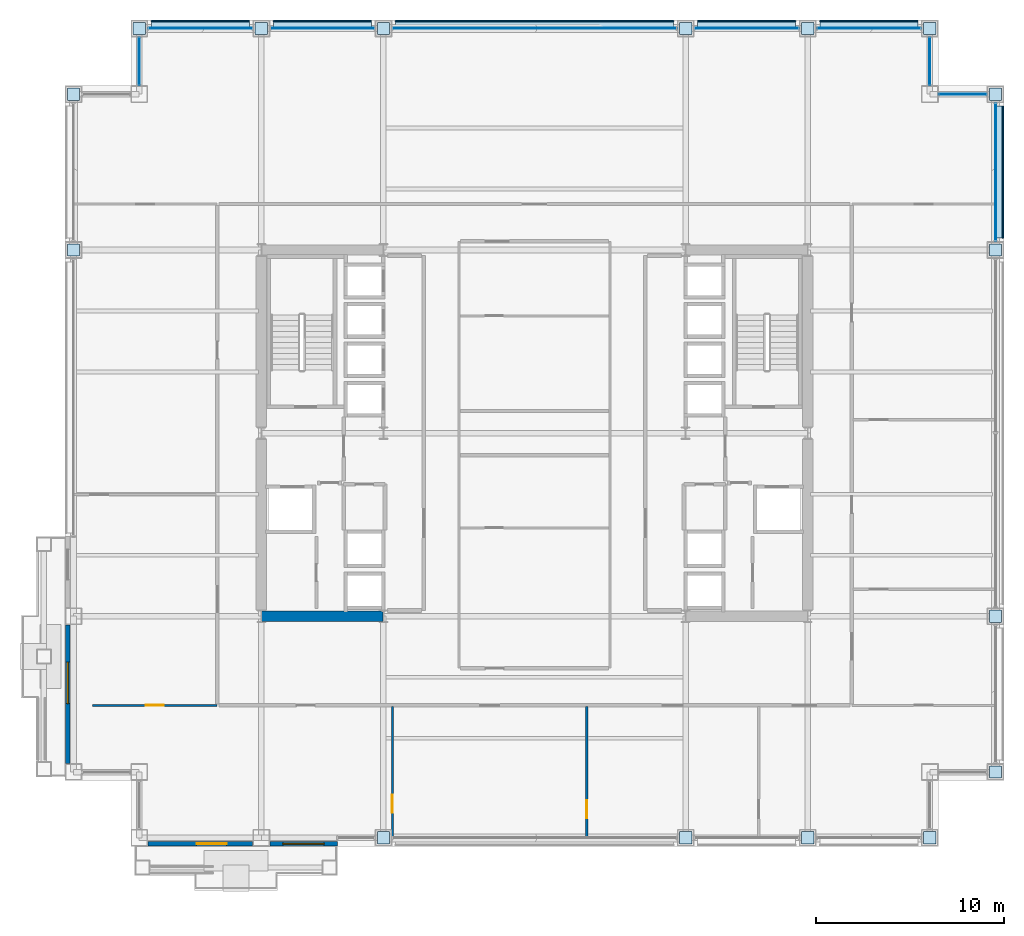
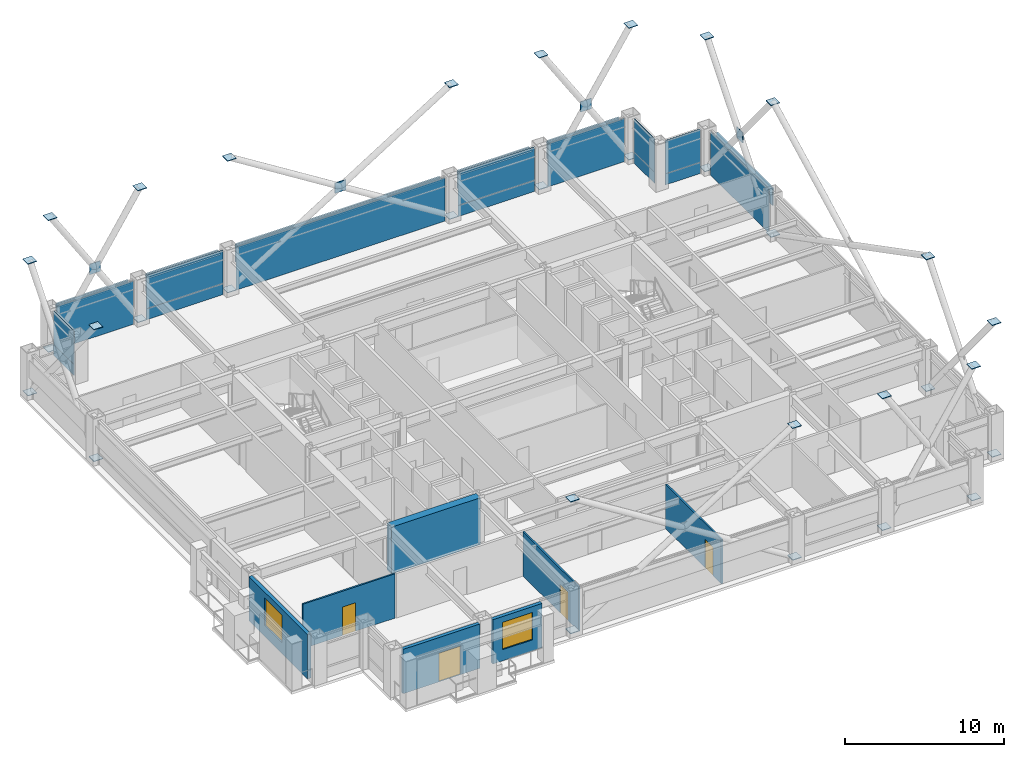
# One storey, part 24 of 30: 62 plates, 7 walls, 4 doors, 2 windows, 6 openings, 9 elements without a shape of their own.
"""IFC4 building model written with IfcOpenShell, lengths in metres."""

from ifc_helpers import new_model, si_unit, direction, frame, frame_2d, origin, origin_2d, place, context, subcontext, project, spatial, rectangle, extrude, material, layer, layer_set, type_object, element, fill, aggregate, save


model = new_model("IFC4")

# Units and contexts
model_context = context("Model", 3, precision=1e-05, world=origin(), true_north=direction((0.0, 1.0)))
body_context = subcontext(model_context, "Body", "Model", "MODEL_VIEW")
ifc_project = project(units=[si_unit("LENGTHUNIT", "METRE"), si_unit("AREAUNIT", "SQUARE_METRE"), si_unit("VOLUMEUNIT", "CUBIC_METRE"), si_unit("PLANEANGLEUNIT", "RADIAN"), si_unit("MASSUNIT", "GRAM", prefix="KILO")], contexts=[model_context])

# Site, building, storey
site_placement = place(None, origin())
site = spatial("IfcSite", under=ifc_project, at=site_placement, CompositionType="ELEMENT")
building_placement = place(site_placement, origin())
building = spatial("IfcBuilding", under=site, at=building_placement, Name="Brelmoor Portico Tower", CompositionType="ELEMENT")
storey_placement = place(building_placement, frame((0.0, 0.0, 56.39990234375)))
storey = spatial("IfcBuildingStorey", under=building, at=storey_placement, Name="L14", CompositionType="ELEMENT", Elevation=56.39990234375)

# Plates
ifc_material_1 = material(Name="Steel Q355B", Category="steel")
ifc_layer_1 = layer(ifc_material_1, 0.044921875)
ifc_layer_set_1 = layer_set([ifc_layer_1], Name="Steel Q355B")
plate_type_1 = type_object("IfcPlateType", Name="PT-CAP-650", PredefinedType="SHEET", material=ifc_layer_set_1)
for number, where, z_axis, x_axis, name in (
    (1, (-8.050048828125, -21.550048828125, 0.2275390625), (0.0, 0.0, 1.0), (1.0, 0.0, 0.0), "L14 Continuous Mega-X Brace 025A Joint Cap Plate 1"),
    (2, (8.050048828125, -21.550048828125, 10.32763671875), (0.0, 0.0, 1.0), (1.0, 0.0, 0.0), "L14 Continuous Mega-X Brace 025A Joint Cap Plate 2"),
    (3, (8.050048828125, -21.550048828125, 0.2275390625), (0.0, 0.0, 1.0), (1.0, 0.0, 0.0), "L14 Split Mega-X Brace 025B1 Joint Cap Plate 1"),
    (4, (-8.050048828125, -21.550048828125, 10.32763671875), (0.0, 0.0, 1.0), (1.0, 0.0, 0.0), "L14 Split Mega-X Brace 025B2 Joint Cap Plate 2"),
    (5, (14.550048828125, -21.550048828125, 0.2275390625), (0.0, 0.0, 1.0), (1.0, 0.0, 0.0), "L14 Continuous Mega-X Brace 026A Joint Cap Plate 1"),
    (6, (21.050048828125, -21.550048828125, 10.32763671875), (0.0, 0.0, 1.0), (1.0, 0.0, 0.0), "L14 Continuous Mega-X Brace 026A Joint Cap Plate 2"),
    (7, (21.050048828125, -21.550048828125, 0.2275390625), (0.0, 0.0, 1.0), (1.0, 0.0, 0.0), "L14 Split Mega-X Brace 026B1 Joint Cap Plate 1"),
    (8, (14.550048828125, -21.550048828125, 10.32763671875), (0.0, 0.0, 1.0), (1.0, 0.0, 0.0), "L14 Split Mega-X Brace 026B2 Joint Cap Plate 2"),
    (9, (-21.050048828125, 21.550048828125, 0.2275390625), (0.0, 0.0, 1.0), (1.0, 0.0, 0.0), "L14 Continuous Mega-X Brace 027A Joint Cap Plate 1"),
    (10, (-14.550048828125, 21.550048828125, 10.32763671875), (0.0, 0.0, 1.0), (1.0, 0.0, 0.0), "L14 Continuous Mega-X Brace 027A Joint Cap Plate 2"),
    (11, (-14.550048828125, 21.550048828125, 0.2275390625), (0.0, 0.0, 1.0), (1.0, 0.0, 0.0), "L14 Split Mega-X Brace 027B1 Joint Cap Plate 1"),
    (12, (-21.050048828125, 21.550048828125, 10.32763671875), (0.0, 0.0, 1.0), (1.0, 0.0, 0.0), "L14 Split Mega-X Brace 027B2 Joint Cap Plate 2"),
    (13, (-8.050048828125, 21.550048828125, 0.2275390625), (0.0, 0.0, 1.0), (1.0, 0.0, 0.0), "L14 Continuous Mega-X Brace 028A Joint Cap Plate 1"),
    (14, (8.050048828125, 21.550048828125, 10.32763671875), (0.0, 0.0, 1.0), (1.0, 0.0, 0.0), "L14 Continuous Mega-X Brace 028A Joint Cap Plate 2"),
    (15, (8.050048828125, 21.550048828125, 0.2275390625), (0.0, 0.0, 1.0), (1.0, 0.0, 0.0), "L14 Split Mega-X Brace 028B1 Joint Cap Plate 1"),
    (16, (-8.050048828125, 21.550048828125, 10.32763671875), (0.0, 0.0, 1.0), (1.0, 0.0, 0.0), "L14 Split Mega-X Brace 028B2 Joint Cap Plate 2"),
    (17, (14.550048828125, 21.550048828125, 0.2275390625), (0.0, 0.0, 1.0), (1.0, 0.0, 0.0), "L14 Continuous Mega-X Brace 029A Joint Cap Plate 1"),
    (18, (21.050048828125, 21.550048828125, 10.32763671875), (0.0, 0.0, 1.0), (1.0, 0.0, 0.0), "L14 Continuous Mega-X Brace 029A Joint Cap Plate 2"),
    (19, (21.050048828125, 21.550048828125, 0.2275390625), (0.0, 0.0, 1.0), (1.0, 0.0, 0.0), "L14 Split Mega-X Brace 029B1 Joint Cap Plate 1"),
    (20, (14.550048828125, 21.550048828125, 10.32763671875), (0.0, 0.0, 1.0), (1.0, 0.0, 0.0), "L14 Split Mega-X Brace 029B2 Joint Cap Plate 2"),
    (21, (-24.550048828125, 9.75, 0.2275390625), (0.0, 0.0, 1.0), (1.0, 0.0, 0.0), "L14 Continuous Mega-X Brace 030A Joint Cap Plate 1"),
    (22, (-24.550048828125, 18.050048828125, 10.32763671875), (0.0, 0.0, 1.0), (1.0, 0.0, 0.0), "L14 Continuous Mega-X Brace 030A Joint Cap Plate 2"),
    (23, (-24.550048828125, 18.050048828125, 0.2275390625), (0.0, 0.0, 1.0), (1.0, 0.0, 0.0), "L14 Split Mega-X Brace 030B1 Joint Cap Plate 1"),
    (24, (-24.550048828125, 9.75, 10.32763671875), (0.0, 0.0, 1.0), (1.0, 0.0, 0.0), "L14 Split Mega-X Brace 030B2 Joint Cap Plate 2"),
    (25, (24.550048828125, -18.050048828125, 0.2275390625), (0.0, 0.0, 1.0), (1.0, 0.0, 0.0), "L14 Continuous Mega-X Brace 031A Joint Cap Plate 1"),
    (26, (24.550048828125, -9.75, 10.32763671875), (0.0, 0.0, 1.0), (1.0, 0.0, 0.0), "L14 Continuous Mega-X Brace 031A Joint Cap Plate 2"),
    (27, (24.550048828125, -9.75, 0.2275390625), (0.0, 0.0, 1.0), (1.0, 0.0, 0.0), "L14 Split Mega-X Brace 031B1 Joint Cap Plate 1"),
    (28, (24.550048828125, -18.050048828125, 10.32763671875), (0.0, 0.0, 1.0), (1.0, 0.0, 0.0), "L14 Split Mega-X Brace 031B2 Joint Cap Plate 2"),
    (29, (24.550048828125, 9.75, 10.32763671875), (0.0, 0.0, 1.0), (1.0, 0.0, 0.0), "L14 Continuous Mega-X Brace 032A Joint Cap Plate 2"),
    (30, (24.550048828125, 9.75, 0.2275390625), (0.0, 0.0, 1.0), (1.0, 0.0, 0.0), "L14 Split Mega-X Brace 032B1 Joint Cap Plate 1"),
    (31, (24.550048828125, 18.050048828125, 10.32763671875), (0.0, 0.0, 1.0), (1.0, 0.0, 0.0), "L14 Continuous Mega-X Brace 033A Joint Cap Plate 2"),
    (32, (24.550048828125, 18.050048828125, 0.2275390625), (0.0, 0.0, 1.0), (1.0, 0.0, 0.0), "L14 Split Mega-X Brace 033B1 Joint Cap Plate 1"),
):
    element("IfcPlate", number, at=place(storey_placement, frame(where, z_axis=z_axis, x_axis=x_axis)), inside=storey, type_object=plate_type_1, Name=name, PredefinedType="SHEET", context=body_context, shape_type="SweptSolid", body=[
        extrude(rectangle(XDim=0.64990234375, YDim=0.64990234375, at=origin_2d()), origin(), (0.0, 0.0, 1.0), 0.044921875),
    ])

# Curtain wall, plate
ifc_material_2 = material(Name="Anodised Aluminium Alloy 6063-T6", Category="aluminium")
ifc_layer_2 = layer(ifc_material_2, 0.179931640625)
ifc_layer_set_2 = layer_set([ifc_layer_2], Name="Anodised Aluminium Alloy 6063-T6")
curtain_wall_type_1 = type_object("IfcCurtainWallType", Name="CW-TOWER-Z1", PredefinedType="NOTDEFINED", material=ifc_layer_set_2)
curtain_wall_1_placement = place(storey_placement, origin())
curtain_wall_1 = element("IfcCurtainWall", 33, at=curtain_wall_1_placement, inside=storey, type_object=curtain_wall_type_1, Name="L14 Curtain Wall CW-L14-02-2", PredefinedType="NOTDEFINED")
ifc_material_3 = material(Name="Double-Silver Low-E Insulated Glazing", Category="glass")
ifc_layer_3 = layer(ifc_material_3, 0.035888671875)
ifc_layer_set_3 = layer_set([ifc_layer_3], Name="Double-Silver Low-E Insulated Glazing")
plate_type_2 = type_object("IfcPlateType", Name="PT-CW-GLASS", PredefinedType="CURTAIN_PANEL", material=ifc_layer_set_3)
plate_1_placement = place(storey_placement, frame((-11.300048828125, 21.550048828125, 0.85009765625), z_axis=(0.0, 0.0, 1.0), x_axis=(1.0, 0.0, 0.0)))
plate_1 = element("IfcPlate", 34, at=plate_1_placement, type_object=plate_type_2, Name="CW-L14-02-2 Vision Glass Panel 00", PredefinedType="CURTAIN_PANEL", context=body_context, shape_type="SweptSolid", body=[
    extrude(rectangle(XDim=5.550048828125, YDim=0.035888671875, at=origin_2d()), origin(), (0.0, 0.0, 1.0), 2.550048828125),
])

curtain_wall_2_placement = place(storey_placement, origin())
curtain_wall_2 = element("IfcCurtainWall", 35, at=curtain_wall_2_placement, inside=storey, type_object=curtain_wall_type_1, Name="L14 Curtain Wall CW-L14-02-4", PredefinedType="NOTDEFINED")
plate_2_placement = place(storey_placement, frame((11.300048828125, 21.550048828125, 0.85009765625), z_axis=(0.0, 0.0, 1.0), x_axis=(1.0, 0.0, 0.0)))
plate_2 = element("IfcPlate", 36, at=plate_2_placement, type_object=plate_type_2, Name="CW-L14-02-4 Vision Glass Panel 00", PredefinedType="CURTAIN_PANEL", context=body_context, shape_type="SweptSolid", body=[
    extrude(rectangle(XDim=5.550048828125, YDim=0.035888671875, at=origin_2d()), origin(), (0.0, 0.0, 1.0), 2.550048828125),
])

ifc_layer_4 = layer(ifc_material_2, 0.179931640625)
ifc_layer_set_4 = layer_set([ifc_layer_4], Name="Anodised Aluminium Alloy 6063-T6")
curtain_wall_type_2 = type_object("IfcCurtainWallType", Name="CW-NOTCH-CHAMFER", PredefinedType="NOTDEFINED", material=ifc_layer_set_4)
curtain_wall_3_placement = place(storey_placement, origin())
curtain_wall_3 = element("IfcCurtainWall", 37, at=curtain_wall_3_placement, inside=storey, type_object=curtain_wall_type_2, Name="L14 Curtain Wall CWN-L14-NWV", PredefinedType="NOTDEFINED")
plate_3_placement = place(storey_placement, frame((-21.050048828125, 19.800048828125, 0.85009765625), z_axis=(0.0, 0.0, 1.0), x_axis=(0.0, 1.0, 0.0)))
plate_3 = element("IfcPlate", 38, at=plate_3_placement, type_object=plate_type_2, Name="CWN-L14-NWV Vision Glass Panel 00", PredefinedType="CURTAIN_PANEL", context=body_context, shape_type="SweptSolid", body=[
    extrude(rectangle(XDim=2.550048828125, YDim=0.035888671875, at=origin_2d()), origin(), (0.0, 0.0, 1.0), 2.550048828125),
])

curtain_wall_4_placement = place(storey_placement, origin())
curtain_wall_4 = element("IfcCurtainWall", 39, at=curtain_wall_4_placement, inside=storey, type_object=curtain_wall_type_2, Name="L14 Curtain Wall CWN-L14-NEH", PredefinedType="NOTDEFINED")
plate_4_placement = place(storey_placement, frame((22.800048828125, 18.050048828125, 0.85009765625), z_axis=(0.0, 0.0, 1.0), x_axis=(1.0, 0.0, 0.0)))
plate_4 = element("IfcPlate", 40, at=plate_4_placement, type_object=plate_type_2, Name="CWN-L14-NEH Vision Glass Panel 00", PredefinedType="CURTAIN_PANEL", context=body_context, shape_type="SweptSolid", body=[
    extrude(rectangle(XDim=2.550048828125, YDim=0.035888671875, at=origin_2d()), origin(), (0.0, 0.0, 1.0), 2.550048828125),
])

curtain_wall_5_placement = place(storey_placement, origin())
curtain_wall_5 = element("IfcCurtainWall", 41, at=curtain_wall_5_placement, inside=storey, type_object=curtain_wall_type_2, Name="L14 Curtain Wall CWN-L14-NEV", PredefinedType="NOTDEFINED")
plate_5_placement = place(storey_placement, frame((21.050048828125, 19.800048828125, 0.85009765625), z_axis=(0.0, 0.0, 1.0), x_axis=(0.0, 1.0, 0.0)))
plate_5 = element("IfcPlate", 42, at=plate_5_placement, type_object=plate_type_2, Name="CWN-L14-NEV Vision Glass Panel 00", PredefinedType="CURTAIN_PANEL", context=body_context, shape_type="SweptSolid", body=[
    extrude(rectangle(XDim=2.550048828125, YDim=0.035888671875, at=origin_2d()), origin(), (0.0, 0.0, 1.0), 2.550048828125),
])

ifc_layer_5 = layer(ifc_material_2, 0.179931640625)
ifc_layer_set_5 = layer_set([ifc_layer_5], Name="Anodised Aluminium Alloy 6063-T6")
curtain_wall_type_3 = type_object("IfcCurtainWallType", Name="CW-TOWER-Z1-XB", PredefinedType="NOTDEFINED", material=ifc_layer_set_5)
curtain_wall_6_placement = place(storey_placement, origin())
curtain_wall_6 = element("IfcCurtainWall", 43, at=curtain_wall_6_placement, inside=storey, type_object=curtain_wall_type_3, Name="L14 Curtain Wall CW-L14-02-1", PredefinedType="NOTDEFINED")
ifc_material_4 = material(Name="Pale Champagne Anodised Aluminium Panel", Category="aluminium")
ifc_layer_6 = layer(ifc_material_4, 0.050048828125)
ifc_layer_set_6 = layer_set([ifc_layer_6], Name="Pale Champagne Anodised Aluminium Panel")
plate_type_3 = type_object("IfcPlateType", Name="PT-CW-SPANDREL", PredefinedType="SHEET", material=ifc_layer_set_6)
plate_6_placement = place(storey_placement, frame((-17.800048828125, 21.550048828125, 0.0), z_axis=(0.0, 0.0, 1.0), x_axis=(1.0, 0.0, 0.0)))
plate_6 = element("IfcPlate", 44, at=plate_6_placement, type_object=plate_type_3, Name="CW-L14-02-1 Spandrel Panel 00", PredefinedType="SHEET", context=body_context, shape_type="SweptSolid", body=[
    extrude(rectangle(XDim=5.550048828125, YDim=0.050048828125, at=origin_2d()), origin(), (0.0, 0.0, 1.0), 3.330078125),
])
aggregate(curtain_wall_6, [plate_6])

# Plate
plate_7_placement = place(storey_placement, frame((-11.300048828125, 21.550048828125, 0.0), z_axis=(0.0, 0.0, 1.0), x_axis=(1.0, 0.0, 0.0)))
plate_7 = element("IfcPlate", 45, at=plate_7_placement, type_object=plate_type_3, Name="CW-L14-02-2 Spandrel Panel 00", PredefinedType="SHEET", context=body_context, shape_type="SweptSolid", body=[
    extrude(rectangle(XDim=5.550048828125, YDim=0.050048828125, at=origin_2d()), origin(), (0.0, 0.0, 1.0), 0.85009765625),
])

aggregate(curtain_wall_1, [plate_7, plate_1])

# Curtain wall, plate
curtain_wall_7_placement = place(storey_placement, origin())
curtain_wall_7 = element("IfcCurtainWall", 46, at=curtain_wall_7_placement, inside=storey, type_object=curtain_wall_type_3, Name="L14 Curtain Wall CW-L14-02-3", PredefinedType="NOTDEFINED")
plate_8_placement = place(storey_placement, frame((0.0, 21.550048828125, 0.0), z_axis=(0.0, 0.0, 1.0), x_axis=(1.0, 0.0, 0.0)))
plate_8 = element("IfcPlate", 47, at=plate_8_placement, type_object=plate_type_3, Name="CW-L14-02-3 Spandrel Panel 00", PredefinedType="SHEET", context=body_context, shape_type="SweptSolid", body=[
    extrude(rectangle(XDim=15.14990234375, YDim=0.050048828125, at=origin_2d()), origin(), (0.0, 0.0, 1.0), 3.330078125),
])
aggregate(curtain_wall_7, [plate_8])

# Plate
plate_9_placement = place(storey_placement, frame((11.300048828125, 21.550048828125, 0.0), z_axis=(0.0, 0.0, 1.0), x_axis=(1.0, 0.0, 0.0)))
plate_9 = element("IfcPlate", 48, at=plate_9_placement, type_object=plate_type_3, Name="CW-L14-02-4 Spandrel Panel 00", PredefinedType="SHEET", context=body_context, shape_type="SweptSolid", body=[
    extrude(rectangle(XDim=5.550048828125, YDim=0.050048828125, at=origin_2d()), origin(), (0.0, 0.0, 1.0), 0.85009765625),
])

aggregate(curtain_wall_2, [plate_9, plate_2])

# Curtain wall, plate
curtain_wall_8_placement = place(storey_placement, origin())
curtain_wall_8 = element("IfcCurtainWall", 49, at=curtain_wall_8_placement, inside=storey, type_object=curtain_wall_type_3, Name="L14 Curtain Wall CW-L14-02-5", PredefinedType="NOTDEFINED")
plate_10_placement = place(storey_placement, frame((17.800048828125, 21.550048828125, 0.0), z_axis=(0.0, 0.0, 1.0), x_axis=(1.0, 0.0, 0.0)))
plate_10 = element("IfcPlate", 50, at=plate_10_placement, type_object=plate_type_3, Name="CW-L14-02-5 Spandrel Panel 00", PredefinedType="SHEET", context=body_context, shape_type="SweptSolid", body=[
    extrude(rectangle(XDim=5.550048828125, YDim=0.050048828125, at=origin_2d()), origin(), (0.0, 0.0, 1.0), 3.330078125),
])
aggregate(curtain_wall_8, [plate_10])

curtain_wall_9_placement = place(storey_placement, origin())
curtain_wall_9 = element("IfcCurtainWall", 51, at=curtain_wall_9_placement, inside=storey, type_object=curtain_wall_type_3, Name="L14 Curtain Wall CW-L14-04-3", PredefinedType="NOTDEFINED")
plate_11_placement = place(storey_placement, frame((24.550048828125, 13.89990234375, 0.0), z_axis=(0.0, 0.0, 1.0), x_axis=(0.0, 1.0, 0.0)))
plate_11 = element("IfcPlate", 52, at=plate_11_placement, type_object=plate_type_3, Name="CW-L14-04-3 Spandrel Panel 00", PredefinedType="SHEET", context=body_context, shape_type="SweptSolid", body=[
    extrude(rectangle(XDim=7.35009765625, YDim=0.050048828125, at=origin_2d()), origin(), (0.0, 0.0, 1.0), 3.330078125),
])
aggregate(curtain_wall_9, [plate_11])

# Plate
plate_12_placement = place(storey_placement, frame((-21.050048828125, 19.800048828125, 0.0), z_axis=(0.0, 0.0, 1.0), x_axis=(0.0, 1.0, 0.0)))
plate_12 = element("IfcPlate", 53, at=plate_12_placement, type_object=plate_type_3, Name="CWN-L14-NWV Spandrel Panel 00", PredefinedType="SHEET", context=body_context, shape_type="SweptSolid", body=[
    extrude(rectangle(XDim=2.550048828125, YDim=0.050048828125, at=origin_2d()), origin(), (0.0, 0.0, 1.0), 0.85009765625),
])

aggregate(curtain_wall_3, [plate_12, plate_3])

plate_13_placement = place(storey_placement, frame((22.800048828125, 18.050048828125, 0.0), z_axis=(0.0, 0.0, 1.0), x_axis=(1.0, 0.0, 0.0)))
plate_13 = element("IfcPlate", 54, at=plate_13_placement, type_object=plate_type_3, Name="CWN-L14-NEH Spandrel Panel 00", PredefinedType="SHEET", context=body_context, shape_type="SweptSolid", body=[
    extrude(rectangle(XDim=2.550048828125, YDim=0.050048828125, at=origin_2d()), origin(), (0.0, 0.0, 1.0), 0.85009765625),
])

aggregate(curtain_wall_4, [plate_13, plate_4])

plate_14_placement = place(storey_placement, frame((21.050048828125, 19.800048828125, 0.0), z_axis=(0.0, 0.0, 1.0), x_axis=(0.0, 1.0, 0.0)))
plate_14 = element("IfcPlate", 55, at=plate_14_placement, type_object=plate_type_3, Name="CWN-L14-NEV Spandrel Panel 00", PredefinedType="SHEET", context=body_context, shape_type="SweptSolid", body=[
    extrude(rectangle(XDim=2.550048828125, YDim=0.050048828125, at=origin_2d()), origin(), (0.0, 0.0, 1.0), 0.85009765625),
])

aggregate(curtain_wall_5, [plate_14, plate_5])

# Plates
ifc_layer_7 = layer(ifc_material_1, 0.050048828125)
ifc_layer_set_7 = layer_set([ifc_layer_7], Name="Steel Q355B")
plate_type_4 = type_object("IfcPlateType", Name="PT-GUSSET-800", PredefinedType="USERDEFINED", material=ifc_layer_set_7)
for number, where, z_axis, x_axis, name in (
    (56, (-17.800048828125, 21.550048828125, 4.89990234375), (0.0, 0.0, 1.0), (1.0, 0.0, 0.0), "L14 Perimeter Mega-Brace Gusset 027"),
    (57, (0.0, 21.550048828125, 4.89990234375), (0.0, 0.0, 1.0), (1.0, 0.0, 0.0), "L14 Perimeter Mega-Brace Gusset 028"),
    (58, (17.800048828125, 21.550048828125, 4.89990234375), (0.0, 0.0, 1.0), (1.0, 0.0, 0.0), "L14 Perimeter Mega-Brace Gusset 029"),
):
    element("IfcPlate", number, at=place(storey_placement, frame(where, z_axis=z_axis, x_axis=x_axis)), inside=storey, type_object=plate_type_4, Name=name, ObjectType="GUSSET PLATE", PredefinedType="USERDEFINED", context=body_context, shape_type="SweptSolid", body=[
        extrude(rectangle(XDim=0.800048828125, YDim=0.050048828125, at=origin_2d()), origin(), (0.0, 0.0, 1.0), 0.800048828125),
    ])
plate_15_placement = place(storey_placement, frame((24.550048828125, 13.89990234375, 4.89990234375), z_axis=(0.0, 0.0, 1.0), x_axis=(1.0, 0.0, 0.0)))
element("IfcPlate", 59, at=plate_15_placement, inside=storey, type_object=plate_type_4, Name="L14 Perimeter Mega-Brace Gusset 033", ObjectType="GUSSET PLATE", PredefinedType="USERDEFINED", context=body_context, shape_type="SweptSolid", body=[
    extrude(rectangle(XDim=0.050048828125, YDim=0.800048828125, at=origin_2d()), origin(), (0.0, 0.0, 1.0), 0.800048828125),
])
ifc_material_5 = material(Name="Powder-Coated Aluminium Shuttered Jalousie Louvre", Category="aluminium")
ifc_layer_8 = layer(ifc_material_5, 0.06005859375)
ifc_layer_set_8 = layer_set([ifc_layer_8], Name="Powder-Coated Aluminium Shuttered Jalousie Louvre")
plate_type_5 = type_object("IfcPlateType", Name="PT-JALOUSIE-SHUTTER", PredefinedType="SHEET", material=ifc_layer_set_8)
for number, where, z_axis, x_axis, name in (
    (60, (-17.800048828125, 21.929931640625, 1.8740234375), (0.0, 0.0, 1.0), (1.0, 0.0, 0.0), "CW-L14-02-1 Perforated Jalousie Solar Screen"),
    (61, (-11.300048828125, 21.929931640625, 1.8740234375), (0.0, 0.0, 1.0), (1.0, 0.0, 0.0), "CW-L14-02-2 Perforated Jalousie Solar Screen"),
):
    element("IfcPlate", number, at=place(storey_placement, frame(where, z_axis=z_axis, x_axis=x_axis)), inside=storey, type_object=plate_type_5, Name=name, PredefinedType="SHEET", context=body_context, shape_type="SweptSolid", body=[
        extrude(rectangle(XDim=5.219970703125, YDim=0.06494140625, at=origin_2d()), origin(), (0.0, 0.0, 1.0), 1.325927734375),
    ])
plate_16_placement = place(storey_placement, frame((0.0, 21.929931640625, 1.8740234375), z_axis=(0.0, 0.0, 1.0), x_axis=(1.0, 0.0, 0.0)))
element("IfcPlate", 62, at=plate_16_placement, inside=storey, type_object=plate_type_5, Name="CW-L14-02-3 Perforated Jalousie Solar Screen", PredefinedType="SHEET", context=body_context, shape_type="SweptSolid", body=[
    extrude(rectangle(XDim=14.820068359375, YDim=0.06494140625, at=origin_2d()), origin(), (0.0, 0.0, 1.0), 1.325927734375),
])
for number, where, z_axis, x_axis, name in (
    (63, (11.300048828125, 21.929931640625, 1.8740234375), (0.0, 0.0, 1.0), (1.0, 0.0, 0.0), "CW-L14-02-4 Perforated Jalousie Solar Screen"),
    (64, (17.800048828125, 21.929931640625, 1.8740234375), (0.0, 0.0, 1.0), (1.0, 0.0, 0.0), "CW-L14-02-5 Perforated Jalousie Solar Screen"),
):
    element("IfcPlate", number, at=place(storey_placement, frame(where, z_axis=z_axis, x_axis=x_axis)), inside=storey, type_object=plate_type_5, Name=name, PredefinedType="SHEET", context=body_context, shape_type="SweptSolid", body=[
        extrude(rectangle(XDim=5.219970703125, YDim=0.06494140625, at=origin_2d()), origin(), (0.0, 0.0, 1.0), 1.325927734375),
    ])
plate_17_placement = place(storey_placement, frame((24.929931640625, 13.89990234375, 1.8740234375), z_axis=(0.0, 0.0, 1.0), x_axis=(0.0, 1.0, 0.0)))
element("IfcPlate", 65, at=plate_17_placement, inside=storey, type_object=plate_type_5, Name="CW-L14-04-3 Perforated Jalousie Solar Screen", PredefinedType="SHEET", context=body_context, shape_type="SweptSolid", body=[
    extrude(rectangle(XDim=7.02001953125, YDim=0.06494140625, at=origin_2d()), origin(), (0.0, 0.0, 1.0), 1.325927734375),
])
ifc_material_6 = material(Name="Pale Champagne Perforated Aluminium Solar Screen", Category="aluminium")
ifc_layer_9 = layer(ifc_material_6, 0.054931640625)
ifc_layer_set_9 = layer_set([ifc_layer_9], Name="Pale Champagne Perforated Aluminium Solar Screen")
plate_type_6 = type_object("IfcPlateType", Name="PT-SOLAR-LOUVRE", PredefinedType="SHEET", material=ifc_layer_set_9)
for number, where, z_axis, x_axis, name in (
    (66, (-17.800048828125, 21.760009765625, 3.09033203125), (0.0, 0.0, 1.0), (1.0, 0.0, 0.0), "CW-L14-02-1 Caribbean Brise-Soleil Solar Screen"),
    (67, (-11.300048828125, 21.760009765625, 3.09033203125), (0.0, 0.0, 1.0), (1.0, 0.0, 0.0), "CW-L14-02-2 Caribbean Brise-Soleil Solar Screen"),
):
    element("IfcPlate", number, at=place(storey_placement, frame(where, z_axis=z_axis, x_axis=x_axis)), inside=storey, type_object=plate_type_6, Name=name, PredefinedType="SHEET", context=body_context, shape_type="SweptSolid", body=[
        extrude(rectangle(XDim=5.219970703125, YDim=0.4599609375, at=origin_2d()), origin(), (0.0, 0.0, 1.0), 0.139892578125),
    ])
plate_18_placement = place(storey_placement, frame((0.0, 21.760009765625, 3.09033203125), z_axis=(0.0, 0.0, 1.0), x_axis=(1.0, 0.0, 0.0)))
element("IfcPlate", 68, at=plate_18_placement, inside=storey, type_object=plate_type_6, Name="CW-L14-02-3 Caribbean Brise-Soleil Solar Screen", PredefinedType="SHEET", context=body_context, shape_type="SweptSolid", body=[
    extrude(rectangle(XDim=14.820068359375, YDim=0.4599609375, at=origin_2d()), origin(), (0.0, 0.0, 1.0), 0.139892578125),
])
for number, where, z_axis, x_axis, name in (
    (69, (11.300048828125, 21.760009765625, 3.09033203125), (0.0, 0.0, 1.0), (1.0, 0.0, 0.0), "CW-L14-02-4 Caribbean Brise-Soleil Solar Screen"),
    (70, (17.800048828125, 21.760009765625, 3.09033203125), (0.0, 0.0, 1.0), (1.0, 0.0, 0.0), "CW-L14-02-5 Caribbean Brise-Soleil Solar Screen"),
):
    element("IfcPlate", number, at=place(storey_placement, frame(where, z_axis=z_axis, x_axis=x_axis)), inside=storey, type_object=plate_type_6, Name=name, PredefinedType="SHEET", context=body_context, shape_type="SweptSolid", body=[
        extrude(rectangle(XDim=5.219970703125, YDim=0.4599609375, at=origin_2d()), origin(), (0.0, 0.0, 1.0), 0.139892578125),
    ])
plate_19_placement = place(storey_placement, frame((24.760009765625, 13.89990234375, 3.09033203125), z_axis=(0.0, 0.0, 1.0), x_axis=(0.0, 1.0, 0.0)))
element("IfcPlate", 71, at=plate_19_placement, inside=storey, type_object=plate_type_6, Name="CW-L14-04-3 Caribbean Brise-Soleil Solar Screen", PredefinedType="SHEET", context=body_context, shape_type="SweptSolid", body=[
    extrude(rectangle(XDim=7.02001953125, YDim=0.4599609375, at=origin_2d()), origin(), (0.0, 0.0, 1.0), 0.139892578125),
])

# Wall
ifc_material_7 = material(Name="Concrete C60", Category="concrete")
ifc_layer_10 = layer(ifc_material_7, 0.550048828125)
ifc_layer_set_10 = layer_set([ifc_layer_10], Name="Concrete C60")
wall_type_1 = type_object("IfcWallType", Name="WL-CORE-550", PredefinedType="SHEAR", material=ifc_layer_set_10)
wall_1_placement = place(storey_placement, frame((-14.530029296875, -9.75, -0.199951171875), z_axis=(0.0, 0.0, 1.0), x_axis=(1.0, 0.0, 0.0)))
element("IfcWall", 72, at=wall_1_placement, inside=storey, type_object=wall_type_1, Name="L14 WC South Shear Wall", PredefinedType="SHEAR", context=body_context, shape_type="SweptSolid", body=[
    extrude(rectangle(XDim=6.4599609375, YDim=0.550048828125, at=frame_2d((3.22998046875, 0.0))), origin(), (0.0, 0.0, 1.0), 3.60009765625),
])

# Wall, opening, door
ifc_material_8 = material(Name="Precast Concrete C40 Insulated Facade Wall", Category="concrete")
ifc_layer_11 = layer(ifc_material_8, 0.25)
ifc_layer_set_11 = layer_set([ifc_layer_11], Name="Precast Concrete C40 Insulated Facade Wall")
wall_type_2 = type_object("IfcWallType", Name="WL-EXT-250", PredefinedType="STANDARD", material=ifc_layer_set_11)
wall_2_placement = place(storey_placement, frame((-20.580078125, -21.860107421875, 0.0), z_axis=(0.0, 0.0, 1.0), x_axis=(1.0, 0.0, 0.0)))
wall_2 = element("IfcWall", 73, at=wall_2_placement, inside=storey, type_object=wall_type_2, Name="L14 Loggia Threshold Wall S-1", PredefinedType="STANDARD", context=body_context, shape_type="SweptSolid", body=[
    extrude(rectangle(XDim=5.56005859375, YDim=0.25, at=frame_2d((2.780029296875, 0.0))), origin(), (0.0, 0.0, 1.0), 3.400146484375),
])
opening_1_placement = place(wall_2_placement, frame((2.580078125, 0.0, 0.0)))
opening_1 = element("IfcOpeningElement", 74, at=opening_1_placement, cuts=wall_2, Name="Opening D-TB1", PredefinedType="OPENING", context=body_context, shape_type="SweptSolid", body=[
    extrude(rectangle(XDim=1.60009765625, YDim=2.199951171875, at=frame_2d((0.800048828125, 1.10009765625))), frame((0.0, 0.135009765625, 0.0), z_axis=(0.0, -1.0, 0.0), x_axis=(1.0, 0.0, 0.0)), (0.0, 0.0, 1.0), 0.27001953125),
])
ifc_material_9 = material(Name="Double-Leaf Thermally Broken Terrace Door", Category="aluminium")
door_type_1 = type_object("IfcDoorType", Name="DR-BALCONY-1600", OperationType="NOTDEFINED", PredefinedType="DOOR", material=ifc_material_9)
door_1_placement = place(opening_1_placement, origin())
door_1 = element("IfcDoor", 75, at=door_1_placement, inside=storey, type_object=door_type_1, Name="D-0647 L14 Tree Balcony Double Door S", OperationType="DOUBLE_DOOR_SINGLE_SWING", OverallHeight=2.199951171875, OverallWidth=1.60009765625, PredefinedType="DOOR", context=body_context, shape_type="SweptSolid", body=[
    extrude(rectangle(XDim=1.60009765625, YDim=2.199951171875, at=frame_2d((0.800048828125, 1.10009765625))), frame((0.0, 0.02490234375, 0.0), z_axis=(0.0, -1.0, 0.0), x_axis=(1.0, 0.0, 0.0)), (0.0, 0.0, 1.0), 0.050048828125),
])
fill(opening_1, door_1)

# Wall, opening, window
wall_3_placement = place(storey_placement, frame((-14.080078125, -21.860107421875, 0.0), z_axis=(0.0, 0.0, 1.0), x_axis=(1.0, 0.0, 0.0)))
wall_3 = element("IfcWall", 76, at=wall_3_placement, inside=storey, type_object=wall_type_2, Name="L14 Loggia Threshold Wall S-2", PredefinedType="STANDARD", context=body_context, shape_type="SweptSolid", body=[
    extrude(rectangle(XDim=3.580078125, YDim=0.25, at=frame_2d((1.7900390625, 0.0))), origin(), (0.0, 0.0, 1.0), 3.400146484375),
])
opening_2_placement = place(wall_3_placement, frame((0.679931640625, 0.0, 0.85009765625)))
opening_2 = element("IfcOpeningElement", 77, at=opening_2_placement, cuts=wall_3, Name="Opening W-03B", PredefinedType="OPENING", context=body_context, shape_type="SweptSolid", body=[
    extrude(rectangle(XDim=2.199951171875, YDim=2.10009765625, at=frame_2d((1.10009765625, 1.050048828125))), frame((0.0, 0.135009765625, 0.0), z_axis=(0.0, -1.0, 0.0), x_axis=(1.0, 0.0, 0.0)), (0.0, 0.0, 1.0), 0.27001953125),
])
ifc_material_10 = material(Name="Thermally Broken Aluminium Low-E Window", Category="aluminium")
window_type = type_object("IfcWindowType", Name="WN-LOGGIA-2200x2100", PartitioningType="SINGLE_PANEL", PredefinedType="WINDOW", material=ifc_material_10)
window_1_placement = place(opening_2_placement, origin())
window_1 = element("IfcWindow", 78, at=window_1_placement, inside=storey, type_object=window_type, Name="L14 Loggia Window S", OverallHeight=2.10009765625, OverallWidth=2.199951171875, PartitioningType="SINGLE_PANEL", PredefinedType="WINDOW", context=body_context, shape_type="SweptSolid", body=[
    extrude(rectangle(XDim=2.199951171875, YDim=2.10009765625, at=frame_2d((1.10009765625, 1.050048828125))), frame((0.0, 0.030029296875, 0.0), z_axis=(0.0, -1.0, 0.0), x_axis=(1.0, 0.0, 0.0)), (0.0, 0.0, 1.0), 0.06005859375),
])
fill(opening_2, window_1)

wall_4_placement = place(storey_placement, frame((-24.860107421875, -17.580078125, 0.0), z_axis=(0.0, 0.0, 1.0), x_axis=(0.0, 1.0, 0.0)))
wall_4 = element("IfcWall", 79, at=wall_4_placement, inside=storey, type_object=wall_type_2, Name="L14 Loggia Threshold Wall W-1", PredefinedType="STANDARD", context=body_context, shape_type="SweptSolid", body=[
    extrude(rectangle(XDim=7.360107421875, YDim=0.25, at=frame_2d((3.68017578125, 0.0))), origin(), (0.0, 0.0, 1.0), 3.400146484375),
])
opening_3_placement = place(wall_4_placement, frame((3.179931640625, 0.0, 0.85009765625)))
opening_3 = element("IfcOpeningElement", 80, at=opening_3_placement, cuts=wall_4, Name="Opening W-03B", PredefinedType="OPENING", context=body_context, shape_type="SweptSolid", body=[
    extrude(rectangle(XDim=2.199951171875, YDim=2.10009765625, at=frame_2d((1.10009765625, 1.050048828125))), frame((0.0, 0.135009765625, 0.0), z_axis=(0.0, -1.0, 0.0), x_axis=(1.0, 0.0, 0.0)), (0.0, 0.0, 1.0), 0.27001953125),
])
window_2_placement = place(opening_3_placement, origin())
window_2 = element("IfcWindow", 81, at=window_2_placement, inside=storey, type_object=window_type, Name="L14 Loggia Window W", OverallHeight=2.10009765625, OverallWidth=2.199951171875, PartitioningType="SINGLE_PANEL", PredefinedType="WINDOW", context=body_context, shape_type="SweptSolid", body=[
    extrude(rectangle(XDim=2.199951171875, YDim=2.10009765625, at=frame_2d((1.10009765625, 1.050048828125))), frame((0.0, 0.030029296875, 0.0), z_axis=(0.0, -1.0, 0.0), x_axis=(1.0, 0.0, 0.0)), (0.0, 0.0, 1.0), 0.06005859375),
])
fill(opening_3, window_2)

# Wall, opening, door
ifc_material_11 = material(Name="Lightweight Gypsum Office Partition", Category="gypsum")
ifc_layer_12 = layer(ifc_material_11, 0.1201171875)
ifc_layer_set_12 = layer_set([ifc_layer_12], Name="Lightweight Gypsum Office Partition")
wall_type_3 = type_object("IfcWallType", Name="WL-PART-120", PredefinedType="PARTITIONING", material=ifc_layer_set_12)
wall_5_placement = place(storey_placement, frame((-7.56591796875, -21.56005859375, 0.0), z_axis=(0.0, 0.0, 1.0), x_axis=(0.0, 1.0, 0.0)))
wall_5 = element("IfcWall", 82, at=wall_5_placement, inside=storey, type_object=wall_type_3, Name="L14 South Suite Partition 1", PredefinedType="PARTITIONING", context=body_context, shape_type="SweptSolid", body=[
    extrude(rectangle(XDim=7.0, YDim=0.1201171875, at=frame_2d((3.5, 0.0))), origin(), (0.0, 0.0, 1.0), 3.400146484375),
])
opening_4_placement = place(wall_5_placement, frame((1.340087890625, 0.0, 0.0)))
opening_4 = element("IfcOpeningElement", 83, at=opening_4_placement, cuts=wall_5, Name="Opening D-IN2", PredefinedType="OPENING", context=body_context, shape_type="SweptSolid", body=[
    extrude(rectangle(XDim=0.9599609375, YDim=2.179931640625, at=frame_2d((0.47998046875, 1.08984375))), frame((0.0, 0.070068359375, 0.0), z_axis=(0.0, -1.0, 0.0), x_axis=(1.0, 0.0, 0.0)), (0.0, 0.0, 1.0), 0.14013671875),
])
ifc_material_12 = material(Name="Lacquered Timber Suite Door", Category="wood")
door_type_2 = type_object("IfcDoorType", Name="DR-INT-950", OperationType="NOTDEFINED", PredefinedType="DOOR", material=ifc_material_12)
door_2_placement = place(opening_4_placement, origin())
door_2 = element("IfcDoor", 84, at=door_2_placement, inside=storey, type_object=door_type_2, Name="D-0640 L14 South Suite Connecting Door 1", OperationType="SINGLE_SWING_RIGHT", OverallHeight=2.179931640625, OverallWidth=0.9599609375, PredefinedType="DOOR", context=body_context, shape_type="SweptSolid", body=[
    extrude(rectangle(XDim=0.9599609375, YDim=2.179931640625, at=frame_2d((0.47998046875, 1.08984375))), frame((0.0, 0.02490234375, 0.0), z_axis=(0.0, -1.0, 0.0), x_axis=(1.0, 0.0, 0.0)), (0.0, 0.0, 1.0), 0.050048828125),
])
fill(opening_4, door_2)

wall_6_placement = place(storey_placement, frame((2.787353515625, -21.56005859375, 0.0), z_axis=(0.0, 0.0, 1.0), x_axis=(0.0, 1.0, 0.0)))
wall_6 = element("IfcWall", 85, at=wall_6_placement, inside=storey, type_object=wall_type_3, Name="L14 South Suite Partition 2", PredefinedType="PARTITIONING", context=body_context, shape_type="SweptSolid", body=[
    extrude(rectangle(XDim=7.0, YDim=0.1201171875, at=frame_2d((3.5, 0.0))), origin(), (0.0, 0.0, 1.0), 3.400146484375),
])
opening_5_placement = place(wall_6_placement, frame((1.050048828125, 0.0, 0.0)))
opening_5 = element("IfcOpeningElement", 86, at=opening_5_placement, cuts=wall_6, Name="Opening D-IN2", PredefinedType="OPENING", context=body_context, shape_type="SweptSolid", body=[
    extrude(rectangle(XDim=0.9599609375, YDim=2.179931640625, at=frame_2d((0.47998046875, 1.08984375))), frame((0.0, 0.070068359375, 0.0), z_axis=(0.0, -1.0, 0.0), x_axis=(1.0, 0.0, 0.0)), (0.0, 0.0, 1.0), 0.14013671875),
])
door_3_placement = place(opening_5_placement, origin())
door_3 = element("IfcDoor", 87, at=door_3_placement, inside=storey, type_object=door_type_2, Name="D-0641 L14 South Suite Connecting Door 2", OperationType="SINGLE_SWING_LEFT", OverallHeight=2.179931640625, OverallWidth=0.9599609375, PredefinedType="DOOR", context=body_context, shape_type="SweptSolid", body=[
    extrude(rectangle(XDim=0.9599609375, YDim=2.179931640625, at=frame_2d((0.47998046875, 1.08984375))), frame((0.0, 0.02490234375, 0.0), z_axis=(0.0, -1.0, 0.0), x_axis=(1.0, 0.0, 0.0)), (0.0, 0.0, 1.0), 0.050048828125),
])
fill(opening_5, door_3)

wall_7_placement = place(storey_placement, frame((-23.550048828125, -14.5, 0.0), z_axis=(0.0, 0.0, 1.0), x_axis=(1.0, 0.0, 0.0)))
wall_7 = element("IfcWall", 88, at=wall_7_placement, inside=storey, type_object=wall_type_3, Name="L14 South Outer Closure WL", PredefinedType="PARTITIONING", context=body_context, shape_type="SweptSolid", body=[
    extrude(rectangle(XDim=6.650146484375, YDim=0.1201171875, at=frame_2d((3.3251953125, 0.0))), origin(), (0.0, 0.0, 1.0), 3.400146484375),
])
opening_6_placement = place(wall_7_placement, frame((2.844970703125, 0.0, 0.0)))
opening_6 = element("IfcOpeningElement", 89, at=opening_6_placement, cuts=wall_7, Name="Opening D-IN2", PredefinedType="OPENING", context=body_context, shape_type="SweptSolid", body=[
    extrude(rectangle(XDim=0.9599609375, YDim=2.179931640625, at=frame_2d((0.47998046875, 1.08984375))), frame((0.0, 0.070068359375, 0.0), z_axis=(0.0, -1.0, 0.0), x_axis=(1.0, 0.0, 0.0)), (0.0, 0.0, 1.0), 0.14013671875),
])
door_4_placement = place(opening_6_placement, origin())
door_4 = element("IfcDoor", 90, at=door_4_placement, inside=storey, type_object=door_type_2, Name="D-0646 L14 WL South Corner Suite Door", OperationType="SINGLE_SWING_LEFT", OverallHeight=2.179931640625, OverallWidth=0.9599609375, PredefinedType="DOOR", context=body_context, shape_type="SweptSolid", body=[
    extrude(rectangle(XDim=0.9599609375, YDim=2.179931640625, at=frame_2d((0.47998046875, 1.08984375))), frame((0.0, 0.02490234375, 0.0), z_axis=(0.0, -1.0, 0.0), x_axis=(1.0, 0.0, 0.0)), (0.0, 0.0, 1.0), 0.050048828125),
])
fill(opening_6, door_4)

save(model, "model.ifc")
